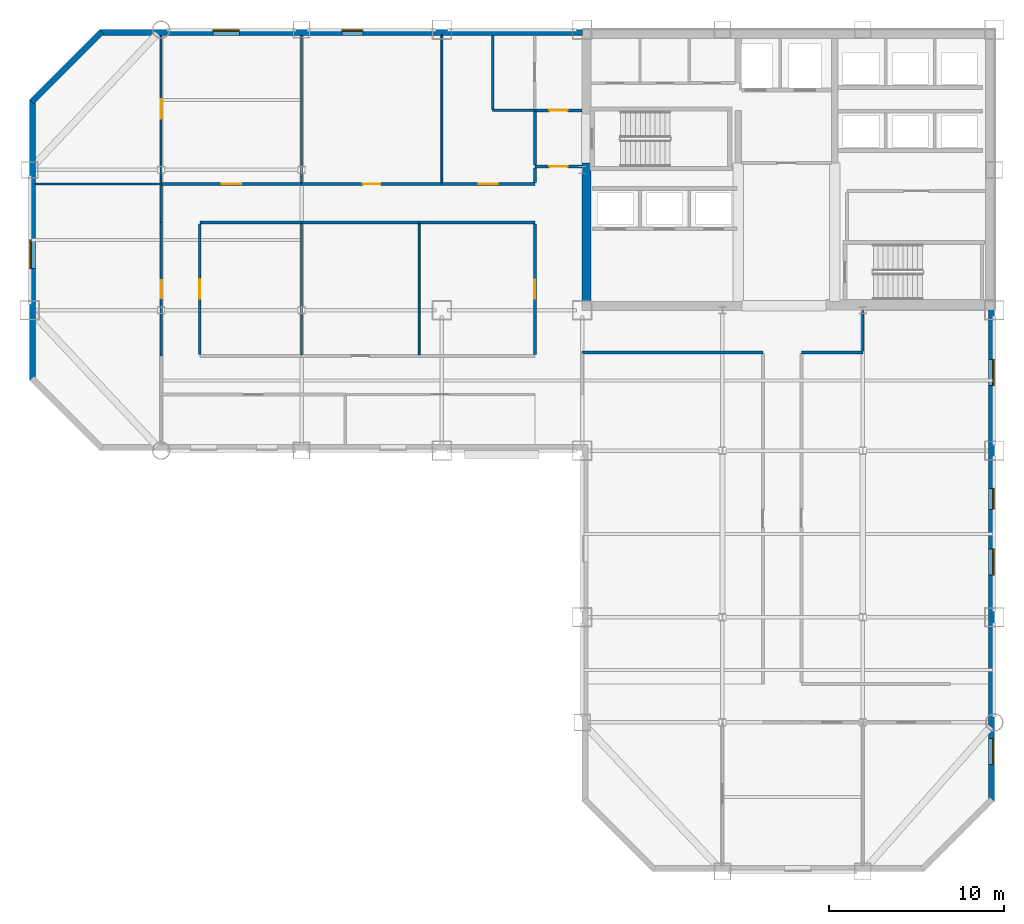
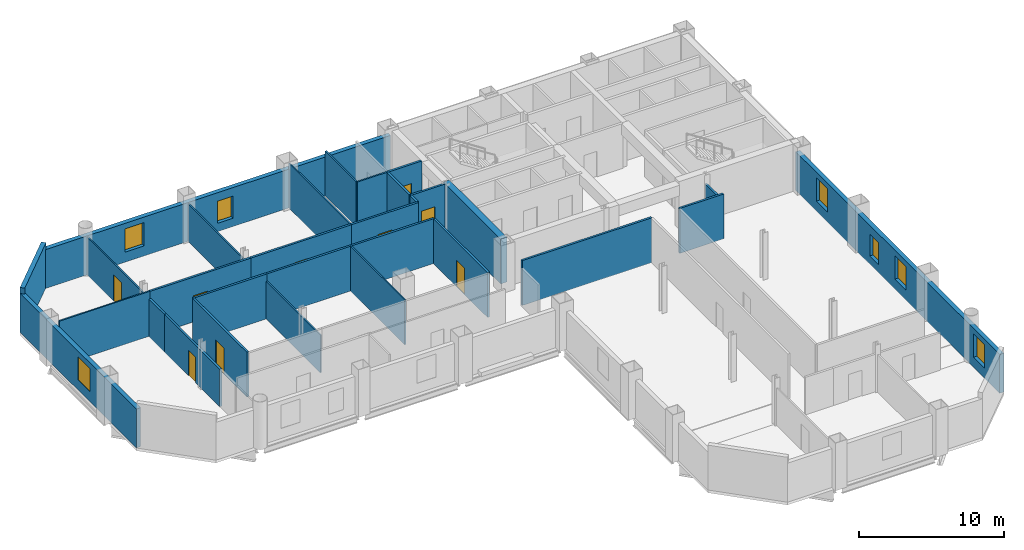
# One storey, part 6 of 10: 30 walls, 9 doors, 7 windows, 16 openings.
"""IFC4 building model written with IfcOpenShell, lengths in metres."""

import ifcopenshell
import ifcopenshell.guid

model = None  # the IFC model being written
_history = None  # IfcOwnerHistory: only IFC2X3 demands one
_inside = {}  # id of a spatial element -> (the spatial element, [elements in it])
_under = {}  # id of a project, library or spatial element -> (it, [spatial elements below it])
_declared = {}  # id of a project -> (the project, [libraries it declares])
_typed = {}  # id of a type object -> (the type object, [elements of that type])
_made_of = {}  # id of a material, layer set ... -> (it, [elements and type objects made of it])


def new_model(schema):
    """Start an empty IFC model of exactly this schema.

    Asked for "IFC4X3", IfcOpenShell would pick the latest addendum, in which some entities
    have other attributes; the version numbers below select the first issue.
    IFC2X3 requires an IfcOwnerHistory on every rooted entity: one is made here for all.
    """
    global model, _history
    if schema == "IFC4X3":
        model = ifcopenshell.file(schema_version=(4, 3, 0, 0))
    else:
        model = ifcopenshell.file(schema=schema)
    _inside.clear()
    _under.clear()
    _declared.clear()
    _typed.clear()
    _made_of.clear()
    _history = None
    if model.schema == "IFC2X3":
        org = make("IfcOrganization", Name="unknown")
        user = make(
            "IfcPersonAndOrganization",
            ThePerson=make("IfcPerson", FamilyName="unknown"),
            TheOrganization=org,
        )
        app = make(
            "IfcApplication",
            ApplicationDeveloper=org,
            Version="unknown",
            ApplicationFullName="unknown",
            ApplicationIdentifier="unknown",
        )
        _history = make(
            "IfcOwnerHistory",
            OwningUser=user,
            OwningApplication=app,
            ChangeAction="ADDED",
            CreationDate=0,
        )
    return model


def make(cls, **values):
    """One entity of the class cls with the attributes given. An attribute that is None is left unset."""
    return model.create_entity(
        cls, **{name: value for name, value in values.items() if value is not None}
    )


def rooted(cls, **values):
    """An entity with a GlobalId (a new one), such as an element, a storey or a relation."""
    return make(cls, GlobalId=ifcopenshell.guid.new(), OwnerHistory=_history, **values)


def si_unit(unit_type, name, prefix=None):
    """IfcSIUnit, for example si_unit("LENGTHUNIT", "METRE", prefix="MILLI")."""
    return make("IfcSIUnit", UnitType=unit_type, Prefix=prefix, Name=name)


def assignment(units):
    """IfcUnitAssignment: the units of a project."""
    return None if units is None else make("IfcUnitAssignment", Units=units)


def point(xyz):
    """IfcCartesianPoint."""
    return None if xyz is None else make("IfcCartesianPoint", Coordinates=xyz)


def direction(xyz):
    """IfcDirection."""
    return None if xyz is None else make("IfcDirection", DirectionRatios=xyz)


def frame(location, z_axis=None, x_axis=None):
    """IfcAxis2Placement3D, a coordinate frame: its origin and axes. An axis left out is left unset."""
    return make(
        "IfcAxis2Placement3D",
        Location=point(location),
        Axis=direction(z_axis),
        RefDirection=direction(x_axis),
    )


def frame_2d(location, x_axis=None):
    """IfcAxis2Placement2D, a coordinate frame in the plane: its origin and x axis."""
    return make(
        "IfcAxis2Placement2D", Location=point(location), RefDirection=direction(x_axis)
    )


def origin():
    """The frame at (0, 0, 0) with its axes left unset."""
    return frame((0.0, 0.0, 0.0))


def place(relative_to, where):
    """IfcLocalPlacement: puts the frame where relative to a parent placement (None: the world)."""
    return make(
        "IfcLocalPlacement", PlacementRelTo=relative_to, RelativePlacement=where
    )


def context(
    kind, dimensions, precision=None, world=None, true_north=None, identifier=None
):
    """IfcGeometricRepresentationContext, for example the 3D "Model" context."""
    return make(
        "IfcGeometricRepresentationContext",
        ContextIdentifier=identifier,
        ContextType=kind,
        CoordinateSpaceDimension=dimensions,
        Precision=precision,
        WorldCoordinateSystem=world,
        TrueNorth=true_north,
    )


def subcontext(parent, identifier, kind, view, scale=None):
    """IfcGeometricRepresentationSubContext, for example "Body" below "Model"."""
    return make(
        "IfcGeometricRepresentationSubContext",
        ContextIdentifier=identifier,
        ContextType=kind,
        ParentContext=parent,
        TargetScale=scale,
        TargetView=view,
    )


def project(units=None, contexts=None):
    """IfcProject with its units and contexts."""
    return rooted(
        "IfcProject",
        Name="project",
        RepresentationContexts=contexts,
        UnitsInContext=assignment(units),
    )


def spatial(cls, under=None, at=None, **own):
    """A site, building, storey or space (cls), placed at a placement, below another one or the project."""
    s = rooted(cls, ObjectPlacement=at, **own)
    if under is not None:
        _under.setdefault(under.id(), (under, []))[1].append(s)
    return s


def profile(cls, at=None, kind="AREA", **sizes):
    """A parametric profile (cls). Its sizes go by their IFC names, for example OverallWidth=200.0."""
    return make(cls, ProfileType=kind, Position=at, **sizes)


def rectangle(**sizes):
    """IfcRectangleProfileDef."""
    return profile("IfcRectangleProfileDef", **sizes)


def extrude(swept, where, along, depth):
    """IfcExtrudedAreaSolid: the profile swept, set in the frame where, extruded along a direction by depth."""
    return make(
        "IfcExtrudedAreaSolid",
        SweptArea=swept,
        Position=where,
        ExtrudedDirection=direction(along),
        Depth=depth,
    )


def shape(context_of_items, identifier, shape_type, items):
    """IfcShapeRepresentation: the items that make up one representation, for example the "Body"."""
    return make(
        "IfcShapeRepresentation",
        ContextOfItems=context_of_items,
        RepresentationIdentifier=identifier,
        RepresentationType=shape_type,
        Items=items,
    )


def material(Name=None, Category=None):
    """IfcMaterial."""
    return make("IfcMaterial", Name=Name, Category=Category)


def layer(
    of_material, thickness, ventilated=None, Name=None, Category=None, Priority=None
):
    """IfcMaterialLayer: one layer of a wall or slab, of a material (None: an air gap)."""
    return make(
        "IfcMaterialLayer",
        Material=of_material,
        LayerThickness=thickness,
        IsVentilated=ventilated,
        Name=Name,
        Category=Category,
        Priority=Priority,
    )


def layer_set(layers, Name=None):
    """IfcMaterialLayerSet."""
    return make("IfcMaterialLayerSet", MaterialLayers=layers, LayerSetName=Name)


def made_of(thing, what):
    """Note that an element or type object is made of a material, layer set ...; save() writes the relation."""
    if what is not None:
        _made_of.setdefault(what.id(), (what, []))[1].append(thing)
    return thing


def type_object(cls, material=None, **own):
    """A type object (cls), such as IfcWallType, which elements share."""
    return made_of(rooted(cls, **own), material)


def element(
    cls,
    number,
    at=None,
    inside=None,
    cuts=None,
    type_object=None,
    material=None,
    context=None,
    identifier="Body",
    shape_type=None,
    held_by="IfcProductDefinitionShape",
    body=None,
    shapes=None,
    **own,
):
    """One element of the class cls, such as IfcWall. Its Tag is "e" and its number.

    at: its placement. inside: the storey or other place that contains it. cuts: it is an
    opening in that element (IfcRelVoidsElement). A single representation is given by context,
    identifier, shape_type and body (its items); several are given by shapes. held_by: the class
    of the entity that holds the representations. save() writes the other relations.
    """
    e = rooted(cls, Tag="e%d" % number, ObjectPlacement=at, **own)
    if body is not None:
        shapes = [shape(context, identifier, shape_type, body)]
    if shapes is not None:
        e.Representation = make(held_by, Representations=shapes)
    if inside is not None:
        _inside.setdefault(inside.id(), (inside, []))[1].append(e)
    if cuts is not None:
        rooted(
            "IfcRelVoidsElement", RelatingBuildingElement=cuts, RelatedOpeningElement=e
        )
    if type_object is not None:
        _typed.setdefault(type_object.id(), (type_object, []))[1].append(e)
    return made_of(e, material)


def fill(opening, filler):
    """IfcRelFillsElement: the door or window that sits in an opening."""
    return rooted(
        "IfcRelFillsElement",
        RelatingOpeningElement=opening,
        RelatedBuildingElement=filler,
    )


def aggregate(whole, parts):
    """IfcRelAggregates: a whole, such as a stair, and the parts it consists of."""
    return rooted("IfcRelAggregates", RelatingObject=whole, RelatedObjects=parts)


def save(model, path):
    """Write the relations noted so far, then the file.

    IfcRelAggregates (storeys below a building ...), IfcRelContainedInSpatialStructure (elements
    in a storey), IfcRelDefinesByType, IfcRelAssociatesMaterial and IfcRelDeclares: one each for
    every whole, place, type object, material and project.
    """
    for whole, parts in _under.values():
        aggregate(whole, parts)
    for where, things in _inside.values():
        rooted(
            "IfcRelContainedInSpatialStructure",
            RelatedElements=things,
            RelatingStructure=where,
        )
    for kind, things in _typed.values():
        rooted("IfcRelDefinesByType", RelatedObjects=things, RelatingType=kind)
    for what, things in _made_of.values():
        rooted("IfcRelAssociatesMaterial", RelatedObjects=things, RelatingMaterial=what)
    for by, libraries in _declared.values():
        rooted("IfcRelDeclares", RelatingContext=by, RelatedDefinitions=libraries)
    model.write(path)


model = new_model("IFC4")

# Units and contexts
model_context = context("Model", 3, precision=1e-05, world=origin(), true_north=direction((0.0, 1.0)))
body_context = subcontext(model_context, "Body", "Model", "MODEL_VIEW")
ifc_project = project(units=[si_unit("LENGTHUNIT", "METRE"), si_unit("AREAUNIT", "SQUARE_METRE"), si_unit("VOLUMEUNIT", "CUBIC_METRE"), si_unit("PLANEANGLEUNIT", "RADIAN"), si_unit("MASSUNIT", "GRAM", prefix="KILO")], contexts=[model_context])

# Site, building, storey
site_placement = place(None, origin())
site = spatial("IfcSite", under=ifc_project, at=site_placement, CompositionType="ELEMENT")
building_placement = place(site_placement, origin())
building = spatial("IfcBuilding", under=site, at=building_placement, Name="Qianrong Seaharbour Tower", CompositionType="ELEMENT")
storey_placement = place(building_placement, frame((0.0, 0.0, 139.0)))
storey = spatial("IfcBuildingStorey", under=building, at=storey_placement, Name="L33", CompositionType="ELEMENT", Elevation=139.0)

# Wall
ifc_material_1 = material(Name="Concrete C60/75", Category="concrete")
ifc_layer_1 = layer(ifc_material_1, 0.5)
ifc_layer_set_1 = layer_set([ifc_layer_1], Name="Concrete C60/75")
wall_type_1 = type_object("IfcWallType", Name="WALL-CORE-500", PredefinedType="SHEAR", material=ifc_layer_set_1)
wall_1_placement = place(storey_placement, frame((40.75, 36.5, 0.0), z_axis=(0.0, 0.0, 1.0), x_axis=(0.0, 1.0, 0.0)))
element("IfcWall", 1, at=wall_1_placement, inside=storey, type_object=wall_type_1, Name="L33 West Core Shear Wall South", PredefinedType="SHEAR", context=body_context, shape_type="SweptSolid", body=[
    extrude(rectangle(XDim=7.89990234375, YDim=0.5, at=frame_2d((3.949951171875, 0.0))), origin(), (0.0, 0.0, 1.0), 3.764892578125),
])

# Wall, opening, door
ifc_material_2 = material(Name="Fire-rated acoustic gypsum board partition")
ifc_layer_2 = layer(ifc_material_2, 0.1650390625)
ifc_layer_set_2 = layer_set([ifc_layer_2], Name="Fire-rated acoustic gypsum board partition")
wall_type_2 = type_object("IfcWallType", Name="WALL-CORR-PART-165", PredefinedType="PARTITIONING", material=ifc_layer_set_2)
wall_2_placement = place(storey_placement, frame((37.800048828125, 47.39990234375, 0.0), z_axis=(0.0, 0.0, 1.0), x_axis=(1.0, 0.0, 0.0)))
wall_2 = element("IfcWall", 2, at=wall_2_placement, inside=storey, type_object=wall_type_2, Name="L33 Interior Partition Wall 001", PredefinedType="PARTITIONING", context=body_context, shape_type="SweptSolid", body=[
    extrude(rectangle(XDim=2.699951171875, YDim=0.1650390625, at=frame_2d((1.35009765625, 0.0))), origin(), (0.0, 0.0, 1.0), 3.764892578125),
])
opening_1_placement = place(wall_2_placement, frame((0.824951171875, 0.0, 0.0)))
opening_1 = element("IfcOpeningElement", 3, at=opening_1_placement, cuts=wall_2, Name="Opening DC-01", PredefinedType="OPENING", context=body_context, shape_type="SweptSolid", body=[
    extrude(rectangle(XDim=1.050048828125, YDim=2.14990234375, at=frame_2d((0.52490234375, 1.074951171875))), frame((0.0, 0.092529296875, 0.0), z_axis=(0.0, -1.0, 0.0), x_axis=(1.0, 0.0, 0.0)), (0.0, 0.0, 1.0), 0.18505859375),
])
ifc_material_3 = material(Name="Acoustic timber and galvanized steel fire door assembly", Category="steel")
door_type_1 = type_object("IfcDoorType", Name="DOOR-CORR-FD60-1050x2150", OperationType="NOTDEFINED", PredefinedType="DOOR", material=ifc_material_3)
door_1_placement = place(opening_1_placement, origin())
door_1 = element("IfcDoor", 4, at=door_1_placement, inside=storey, type_object=door_type_1, Name="L33 Smokeproof Stair Vestibule ST-1 Door", OperationType="SINGLE_SWING_RIGHT", OverallHeight=2.14990234375, OverallWidth=1.050048828125, PredefinedType="DOOR", context=body_context, shape_type="SweptSolid", body=[
    extrude(rectangle(XDim=1.050048828125, YDim=2.14990234375, at=frame_2d((0.52490234375, 1.074951171875))), frame((0.0, 0.02490234375, 0.0), z_axis=(0.0, -1.0, 0.0), x_axis=(1.0, 0.0, 0.0)), (0.0, 0.0, 1.0), 0.050048828125),
])
fill(opening_1, door_1)

wall_3_placement = place(storey_placement, frame((40.5, 44.199951171875, 0.0), z_axis=(0.0, 0.0, 1.0), x_axis=(-1.0, 0.0, 0.0)))
wall_3 = element("IfcWall", 5, at=wall_3_placement, inside=storey, type_object=wall_type_2, Name="L33 Interior Partition Wall 002", PredefinedType="PARTITIONING", context=body_context, shape_type="SweptSolid", body=[
    extrude(rectangle(XDim=2.699951171875, YDim=0.1650390625, at=frame_2d((1.35009765625, 0.0))), origin(), (0.0, 0.0, 1.0), 3.764892578125),
])
opening_2_placement = place(wall_3_placement, frame((0.824951171875, 0.0, 0.0)))
opening_2 = element("IfcOpeningElement", 6, at=opening_2_placement, cuts=wall_3, Name="Opening DC-01", PredefinedType="OPENING", context=body_context, shape_type="SweptSolid", body=[
    extrude(rectangle(XDim=1.050048828125, YDim=2.14990234375, at=frame_2d((0.52490234375, 1.074951171875))), frame((0.0, 0.092529296875, 0.0), z_axis=(0.0, -1.0, 0.0), x_axis=(1.0, 0.0, 0.0)), (0.0, 0.0, 1.0), 0.18505859375),
])
door_2_placement = place(opening_2_placement, origin())
door_2 = element("IfcDoor", 7, at=door_2_placement, inside=storey, type_object=door_type_1, Name="L33 Smokeproof Stair Vestibule ST-1 Door", OperationType="SINGLE_SWING_LEFT", OverallHeight=2.14990234375, OverallWidth=1.050048828125, PredefinedType="DOOR", context=body_context, shape_type="SweptSolid", body=[
    extrude(rectangle(XDim=1.050048828125, YDim=2.14990234375, at=frame_2d((0.52490234375, 1.074951171875))), frame((0.0, 0.02490234375, 0.0), z_axis=(0.0, -1.0, 0.0), x_axis=(1.0, 0.0, 0.0)), (0.0, 0.0, 1.0), 0.050048828125),
])
fill(opening_2, door_2)

# Wall
wall_4_placement = place(storey_placement, frame((37.800048828125, 44.2744140625, 0.0), z_axis=(0.0, 0.0, 1.0), x_axis=(0.0, 1.0, 0.0)))
element("IfcWall", 8, at=wall_4_placement, inside=storey, type_object=wall_type_2, Name="L33 Interior Partition Wall 003", PredefinedType="PARTITIONING", context=body_context, shape_type="SweptSolid", body=[
    extrude(rectangle(XDim=3.051025390625, YDim=0.1650390625, at=frame_2d((1.525390625, 0.0))), origin(), (0.0, 0.0, 1.0), 3.764892578125),
])

# Wall, opening, door
wall_5_placement = place(storey_placement, frame((16.5, 43.199951171875, 0.0), z_axis=(0.0, 0.0, 1.0), x_axis=(1.0, 0.0, 0.0)))
wall_5 = element("IfcWall", 9, at=wall_5_placement, inside=storey, type_object=wall_type_2, Name="L33 Interior Partition Wall 021", PredefinedType="PARTITIONING", context=body_context, shape_type="SweptSolid", body=[
    extrude(rectangle(XDim=8.0, YDim=0.1650390625, at=frame_2d((4.0, 0.0))), origin(), (0.0, 0.0, 1.0), 3.764892578125),
])
opening_3_placement = place(wall_5_placement, frame((3.449951171875, 0.0, 0.0)))
opening_3 = element("IfcOpeningElement", 10, at=opening_3_placement, cuts=wall_5, Name="Opening DM-01", PredefinedType="OPENING", context=body_context, shape_type="SweptSolid", body=[
    extrude(rectangle(XDim=1.10009765625, YDim=2.199951171875, at=frame_2d((0.550048828125, 1.10009765625))), frame((0.0, 0.092529296875, 0.0), z_axis=(0.0, -1.0, 0.0), x_axis=(1.0, 0.0, 0.0)), (0.0, 0.0, 1.0), 0.18505859375),
])
door_type_2 = type_object("IfcDoorType", Name="DOOR-MEET-1100x2200", OperationType="NOTDEFINED", PredefinedType="DOOR", material=ifc_material_3)
door_3_placement = place(opening_3_placement, origin())
door_3 = element("IfcDoor", 11, at=door_3_placement, inside=storey, type_object=door_type_2, Name="L33 Meeting Room 2 Door", OperationType="SINGLE_SWING_RIGHT", OverallHeight=2.199951171875, OverallWidth=1.10009765625, PredefinedType="DOOR", context=body_context, shape_type="SweptSolid", body=[
    extrude(rectangle(XDim=1.10009765625, YDim=2.199951171875, at=frame_2d((0.550048828125, 1.10009765625))), frame((0.0, 0.02490234375, 0.0), z_axis=(0.0, -1.0, 0.0), x_axis=(1.0, 0.0, 0.0)), (0.0, 0.0, 1.0), 0.050048828125),
])
fill(opening_3, door_3)

wall_6_placement = place(storey_placement, frame((24.5, 43.199951171875, 0.0), z_axis=(0.0, 0.0, 1.0), x_axis=(1.0, 0.0, 0.0)))
wall_6 = element("IfcWall", 12, at=wall_6_placement, inside=storey, type_object=wall_type_2, Name="L33 Interior Partition Wall 022", PredefinedType="PARTITIONING", context=body_context, shape_type="SweptSolid", body=[
    extrude(rectangle(XDim=8.0, YDim=0.1650390625, at=frame_2d((4.0, 0.0))), origin(), (0.0, 0.0, 1.0), 3.764892578125),
])
opening_4_placement = place(wall_6_placement, frame((3.5, 0.0, 0.0)))
opening_4 = element("IfcOpeningElement", 13, at=opening_4_placement, cuts=wall_6, Name="Opening DO-01", PredefinedType="OPENING", context=body_context, shape_type="SweptSolid", body=[
    extrude(rectangle(XDim=1.0, YDim=2.14990234375, at=frame_2d((0.5, 1.074951171875))), frame((0.0, 0.092529296875, 0.0), z_axis=(0.0, -1.0, 0.0), x_axis=(1.0, 0.0, 0.0)), (0.0, 0.0, 1.0), 0.18505859375),
])
door_type_3 = type_object("IfcDoorType", Name="DOOR-OFFICE-1000x2150", OperationType="NOTDEFINED", PredefinedType="DOOR", material=ifc_material_3)
door_4_placement = place(opening_4_placement, origin())
door_4 = element("IfcDoor", 14, at=door_4_placement, inside=storey, type_object=door_type_3, Name="L33 Project Library 3 Door", OperationType="SINGLE_SWING_LEFT", OverallHeight=2.14990234375, OverallWidth=1.0, PredefinedType="DOOR", context=body_context, shape_type="SweptSolid", body=[
    extrude(rectangle(XDim=1.0, YDim=2.14990234375, at=frame_2d((0.5, 1.074951171875))), frame((0.0, 0.02490234375, 0.0), z_axis=(0.0, -1.0, 0.0), x_axis=(1.0, 0.0, 0.0)), (0.0, 0.0, 1.0), 0.050048828125),
])
fill(opening_4, door_4)

wall_7_placement = place(storey_placement, frame((32.5, 43.199951171875, 0.0), z_axis=(0.0, 0.0, 1.0), x_axis=(1.0, 0.0, 0.0)))
wall_7 = element("IfcWall", 15, at=wall_7_placement, inside=storey, type_object=wall_type_2, Name="L33 Interior Partition Wall 023", PredefinedType="PARTITIONING", context=body_context, shape_type="SweptSolid", body=[
    extrude(rectangle(XDim=5.300048828125, YDim=0.1650390625, at=frame_2d((2.64990234375, 0.0))), origin(), (0.0, 0.0, 1.0), 3.764892578125),
])
opening_5_placement = place(wall_7_placement, frame((2.10009765625, 0.0, 0.0)))
opening_5 = element("IfcOpeningElement", 16, at=opening_5_placement, cuts=wall_7, Name="Opening DM-01", PredefinedType="OPENING", context=body_context, shape_type="SweptSolid", body=[
    extrude(rectangle(XDim=1.10009765625, YDim=2.199951171875, at=frame_2d((0.550048828125, 1.10009765625))), frame((0.0, 0.092529296875, 0.0), z_axis=(0.0, -1.0, 0.0), x_axis=(1.0, 0.0, 0.0)), (0.0, 0.0, 1.0), 0.18505859375),
])
door_5_placement = place(opening_5_placement, origin())
door_5 = element("IfcDoor", 17, at=door_5_placement, inside=storey, type_object=door_type_2, Name="L33 Training Seminar Room 4 Door", OperationType="SINGLE_SWING_RIGHT", OverallHeight=2.199951171875, OverallWidth=1.10009765625, PredefinedType="DOOR", context=body_context, shape_type="SweptSolid", body=[
    extrude(rectangle(XDim=1.10009765625, YDim=2.199951171875, at=frame_2d((0.550048828125, 1.10009765625))), frame((0.0, 0.02490234375, 0.0), z_axis=(0.0, -1.0, 0.0), x_axis=(1.0, 0.0, 0.0)), (0.0, 0.0, 1.0), 0.050048828125),
])
fill(opening_5, door_5)

# Walls
wall_8_placement = place(storey_placement, frame((24.5, 41.0, 0.0), z_axis=(0.0, 0.0, 1.0), x_axis=(-1.0, 0.0, 0.0)))
element("IfcWall", 18, at=wall_8_placement, inside=storey, type_object=wall_type_2, Name="L33 Interior Partition Wall 024", PredefinedType="PARTITIONING", context=body_context, shape_type="SweptSolid", body=[
    extrude(rectangle(XDim=5.800048828125, YDim=0.1650390625, at=frame_2d((2.89990234375, 0.0))), origin(), (0.0, 0.0, 1.0), 3.764892578125),
])
wall_9_placement = place(storey_placement, frame((31.199951171875, 41.0, 0.0), z_axis=(0.0, 0.0, 1.0), x_axis=(-1.0, 0.0, 0.0)))
element("IfcWall", 19, at=wall_9_placement, inside=storey, type_object=wall_type_2, Name="L33 Interior Partition Wall 025", PredefinedType="PARTITIONING", context=body_context, shape_type="SweptSolid", body=[
    extrude(rectangle(XDim=6.699951171875, YDim=0.1650390625, at=frame_2d((3.35009765625, 0.0))), origin(), (0.0, 0.0, 1.0), 3.764892578125),
])
wall_10_placement = place(storey_placement, frame((37.800048828125, 41.0, 0.0), z_axis=(0.0, 0.0, 1.0), x_axis=(-1.0, 0.0, 0.0)))
element("IfcWall", 20, at=wall_10_placement, inside=storey, type_object=wall_type_2, Name="L33 Interior Partition Wall 026", PredefinedType="PARTITIONING", context=body_context, shape_type="SweptSolid", body=[
    extrude(rectangle(XDim=6.60009765625, YDim=0.1650390625, at=frame_2d((3.300048828125, 0.0))), origin(), (0.0, 0.0, 1.0), 3.764892578125),
])
wall_11_placement = place(storey_placement, frame((16.5, 41.0, 0.0), z_axis=(0.0, 0.0, 1.0), x_axis=(0.0, 1.0, 0.0)))
element("IfcWall", 21, at=wall_11_placement, inside=storey, type_object=wall_type_2, Name="L33 Interior Partition Wall 027", PredefinedType="PARTITIONING", context=body_context, shape_type="SweptSolid", body=[
    extrude(rectangle(XDim=2.12548828125, YDim=0.1650390625, at=frame_2d((1.062744140625, 0.0))), origin(), (0.0, 0.0, 1.0), 3.156982421875),
])

# Wall, opening, door
wall_12_placement = place(storey_placement, frame((18.699951171875, 40.925537109375, 0.0), z_axis=(0.0, 0.0, 1.0), x_axis=(0.0, -1.0, 0.0)))
wall_12 = element("IfcWall", 22, at=wall_12_placement, inside=storey, type_object=wall_type_2, Name="L33 Interior Partition Wall 028", PredefinedType="PARTITIONING", context=body_context, shape_type="SweptSolid", body=[
    extrude(rectangle(XDim=7.450927734375, YDim=0.1650390625, at=frame_2d((3.7255859375, 0.0))), origin(), (0.0, 0.0, 1.0), 3.764892578125),
])
opening_6_placement = place(wall_12_placement, frame((3.175537109375, 0.0, 0.0)))
opening_6 = element("IfcOpeningElement", 23, at=opening_6_placement, cuts=wall_12, Name="Opening DM-01", PredefinedType="OPENING", context=body_context, shape_type="SweptSolid", body=[
    extrude(rectangle(XDim=1.10009765625, YDim=2.199951171875, at=frame_2d((0.550048828125, 1.10009765625))), frame((0.0, 0.092529296875, 0.0), z_axis=(0.0, -1.0, 0.0), x_axis=(1.0, 0.0, 0.0)), (0.0, 0.0, 1.0), 0.18505859375),
])
door_6_placement = place(opening_6_placement, origin())
door_6 = element("IfcDoor", 24, at=door_6_placement, inside=storey, type_object=door_type_2, Name="L33 Conference Room 1 Door", OperationType="SINGLE_SWING_LEFT", OverallHeight=2.199951171875, OverallWidth=1.10009765625, PredefinedType="DOOR", context=body_context, shape_type="SweptSolid", body=[
    extrude(rectangle(XDim=1.10009765625, YDim=2.199951171875, at=frame_2d((0.550048828125, 1.10009765625))), frame((0.0, 0.02490234375, 0.0), z_axis=(0.0, -1.0, 0.0), x_axis=(1.0, 0.0, 0.0)), (0.0, 0.0, 1.0), 0.050048828125),
])
fill(opening_6, door_6)

wall_13_placement = place(storey_placement, frame((16.5, 33.39990234375, 0.0), z_axis=(0.0, 0.0, 1.0), x_axis=(0.0, 1.0, 0.0)))
wall_13 = element("IfcWall", 25, at=wall_13_placement, inside=storey, type_object=wall_type_2, Name="L33 Interior Partition Wall 029", PredefinedType="PARTITIONING", context=body_context, shape_type="SweptSolid", body=[
    extrude(rectangle(XDim=7.60009765625, YDim=0.1650390625, at=frame_2d((3.800048828125, 0.0))), origin(), (0.0, 0.0, 1.0), 3.156982421875),
])
opening_7_placement = place(wall_13_placement, frame((3.300048828125, 0.0, 0.0)))
opening_7 = element("IfcOpeningElement", 26, at=opening_7_placement, cuts=wall_13, Name="Opening DO-01", PredefinedType="OPENING", context=body_context, shape_type="SweptSolid", body=[
    extrude(rectangle(XDim=1.0, YDim=2.14990234375, at=frame_2d((0.5, 1.074951171875))), frame((0.0, 0.092529296875, 0.0), z_axis=(0.0, -1.0, 0.0), x_axis=(1.0, 0.0, 0.0)), (0.0, 0.0, 1.0), 0.18505859375),
])
door_7_placement = place(opening_7_placement, origin())
door_7 = element("IfcDoor", 27, at=door_7_placement, inside=storey, type_object=door_type_3, Name="L33 West Harbour Lecture Hall Door", OperationType="SINGLE_SWING_RIGHT", OverallHeight=2.14990234375, OverallWidth=1.0, PredefinedType="DOOR", context=body_context, shape_type="SweptSolid", body=[
    extrude(rectangle(XDim=1.0, YDim=2.14990234375, at=frame_2d((0.5, 1.074951171875))), frame((0.0, 0.02490234375, 0.0), z_axis=(0.0, -1.0, 0.0), x_axis=(1.0, 0.0, 0.0)), (0.0, 0.0, 1.0), 0.050048828125),
])
fill(opening_7, door_7)

# Wall
wall_14_placement = place(storey_placement, frame((37.800048828125, 43.2744140625, 0.0), z_axis=(0.0, 0.0, 1.0), x_axis=(0.0, 1.0, 0.0)))
element("IfcWall", 28, at=wall_14_placement, inside=storey, type_object=wall_type_2, Name="L33 Interior Partition Wall 031", PredefinedType="PARTITIONING", context=body_context, shape_type="SweptSolid", body=[
    extrude(rectangle(XDim=0.85107421875, YDim=0.1650390625, at=frame_2d((0.425537109375, 0.0))), origin(), (0.0, 0.0, 1.0), 3.764892578125),
])

# Wall, opening, door
wall_15_placement = place(storey_placement, frame((37.800048828125, 33.474609375, 0.0), z_axis=(0.0, 0.0, 1.0), x_axis=(0.0, 1.0, 0.0)))
wall_15 = element("IfcWall", 29, at=wall_15_placement, inside=storey, type_object=wall_type_2, Name="L33 Interior Partition Wall 032", PredefinedType="PARTITIONING", context=body_context, shape_type="SweptSolid", body=[
    extrude(rectangle(XDim=7.450927734375, YDim=0.1650390625, at=frame_2d((3.7255859375, 0.0))), origin(), (0.0, 0.0, 1.0), 3.764892578125),
])
opening_8_placement = place(wall_15_placement, frame((3.175537109375, 0.0, 0.0)))
opening_8 = element("IfcOpeningElement", 30, at=opening_8_placement, cuts=wall_15, Name="Opening DM-01", PredefinedType="OPENING", context=body_context, shape_type="SweptSolid", body=[
    extrude(rectangle(XDim=1.10009765625, YDim=2.199951171875, at=frame_2d((0.550048828125, 1.10009765625))), frame((0.0, 0.092529296875, 0.0), z_axis=(0.0, -1.0, 0.0), x_axis=(1.0, 0.0, 0.0)), (0.0, 0.0, 1.0), 0.18505859375),
])
door_8_placement = place(opening_8_placement, origin())
door_8 = element("IfcDoor", 31, at=door_8_placement, inside=storey, type_object=door_type_2, Name="L33 Briefing Room 3 Door", OperationType="SINGLE_SWING_LEFT", OverallHeight=2.199951171875, OverallWidth=1.10009765625, PredefinedType="DOOR", context=body_context, shape_type="SweptSolid", body=[
    extrude(rectangle(XDim=1.10009765625, YDim=2.199951171875, at=frame_2d((0.550048828125, 1.10009765625))), frame((0.0, 0.02490234375, 0.0), z_axis=(0.0, -1.0, 0.0), x_axis=(1.0, 0.0, 0.0)), (0.0, 0.0, 1.0), 0.050048828125),
])
fill(opening_8, door_8)

# Walls
wall_16_placement = place(storey_placement, frame((56.5, 36.0, 0.0), z_axis=(0.0, 0.0, 1.0), x_axis=(0.0, -1.0, 0.0)))
element("IfcWall", 32, at=wall_16_placement, inside=storey, type_object=wall_type_2, Name="L33 Interior Partition Wall 033", PredefinedType="PARTITIONING", context=body_context, shape_type="SweptSolid", body=[
    extrude(rectangle(XDim=2.325439453125, YDim=0.1650390625, at=frame_2d((1.16259765625, 0.0))), origin(), (0.0, 0.0, 1.0), 3.156982421875),
])
wall_17_placement = place(storey_placement, frame((56.5, 33.60009765625, 0.0), z_axis=(0.0, 0.0, 1.0), x_axis=(-1.0, 0.0, 0.0)))
element("IfcWall", 33, at=wall_17_placement, inside=storey, type_object=wall_type_2, Name="L33 Interior Partition Wall 034", PredefinedType="PARTITIONING", context=body_context, shape_type="SweptSolid", body=[
    extrude(rectangle(XDim=3.5, YDim=0.1650390625, at=frame_2d((1.75, 0.0))), origin(), (0.0, 0.0, 1.0), 3.764892578125),
])
wall_18_placement = place(storey_placement, frame((50.800048828125, 33.60009765625, 0.0), z_axis=(0.0, 0.0, 1.0), x_axis=(-1.0, 0.0, 0.0)))
element("IfcWall", 34, at=wall_18_placement, inside=storey, type_object=wall_type_2, Name="L33 Interior Partition Wall 035", PredefinedType="PARTITIONING", context=body_context, shape_type="SweptSolid", body=[
    extrude(rectangle(XDim=10.300048828125, YDim=0.1650390625, at=frame_2d((5.14990234375, 0.0))), origin(), (0.0, 0.0, 1.0), 3.764892578125),
])

# Wall, opening, door
ifc_material_4 = material(Name="Demountable aluminium-framed acoustic office partition", Category="aluminium")
ifc_layer_3 = layer(ifc_material_4, 0.110107421875)
ifc_layer_set_3 = layer_set([ifc_layer_3], Name="Demountable aluminium-framed acoustic office partition")
wall_type_3 = type_object("IfcWallType", Name="WALL-DEMOUNT-110", PredefinedType="MOVABLE", material=ifc_layer_set_3)
wall_19_placement = place(storey_placement, frame((16.5, 51.66796875, 0.0), z_axis=(0.0, 0.0, 1.0), x_axis=(0.0, -1.0, 0.0)))
wall_19 = element("IfcWall", 35, at=wall_19_placement, inside=storey, type_object=wall_type_3, Name="L33 Interior Partition Wall 042", PredefinedType="MOVABLE", context=body_context, shape_type="SweptSolid", body=[
    extrude(rectangle(XDim=8.3935546875, YDim=0.110107421875, at=frame_2d((4.19677734375, 0.0))), origin(), (0.0, 0.0, 1.0), 3.156982421875),
])
opening_9_placement = place(wall_19_placement, frame((3.646728515625, 0.0, 0.0)))
opening_9 = element("IfcOpeningElement", 36, at=opening_9_placement, cuts=wall_19, Name="Opening DM-01", PredefinedType="OPENING", context=body_context, shape_type="SweptSolid", body=[
    extrude(rectangle(XDim=1.10009765625, YDim=2.199951171875, at=frame_2d((0.550048828125, 1.10009765625))), frame((0.0, 0.06494140625, 0.0), z_axis=(0.0, -1.0, 0.0), x_axis=(1.0, 0.0, 0.0)), (0.0, 0.0, 1.0), 0.130126953125),
])
door_9_placement = place(opening_9_placement, origin())
door_9 = element("IfcDoor", 37, at=door_9_placement, inside=storey, type_object=door_type_2, Name="L33 Boardroom 1 Door", OperationType="SINGLE_SWING_LEFT", OverallHeight=2.199951171875, OverallWidth=1.10009765625, PredefinedType="DOOR", context=body_context, shape_type="SweptSolid", body=[
    extrude(rectangle(XDim=1.10009765625, YDim=2.199951171875, at=frame_2d((0.550048828125, 1.10009765625))), frame((0.0, 0.02490234375, 0.0), z_axis=(0.0, -1.0, 0.0), x_axis=(1.0, 0.0, 0.0)), (0.0, 0.0, 1.0), 0.050048828125),
])
fill(opening_9, door_9)

# Walls
wall_20_placement = place(storey_placement, frame((16.5, 43.199951171875, 0.0), z_axis=(0.0, 0.0, 1.0), x_axis=(-1.0, 0.0, 0.0)))
element("IfcWall", 38, at=wall_20_placement, inside=storey, type_object=wall_type_3, Name="L33 Interior Partition Wall 043", PredefinedType="MOVABLE", context=body_context, shape_type="SweptSolid", body=[
    extrude(rectangle(XDim=7.16796875, YDim=0.110107421875, at=frame_2d((3.583984375, 0.0))), origin(), (0.0, 0.0, 1.0), 3.764892578125),
])
wall_21_placement = place(storey_placement, frame((24.5, 51.66796875, 0.0), z_axis=(0.0, 0.0, 1.0), x_axis=(0.0, -1.0, 0.0)))
element("IfcWall", 39, at=wall_21_placement, inside=storey, type_object=wall_type_3, Name="L33 Interior Partition Wall 044", PredefinedType="MOVABLE", context=body_context, shape_type="SweptSolid", body=[
    extrude(rectangle(XDim=8.3935546875, YDim=0.110107421875, at=frame_2d((4.19677734375, 0.0))), origin(), (0.0, 0.0, 1.0), 3.156982421875),
])
wall_22_placement = place(storey_placement, frame((32.5, 51.66796875, 0.0), z_axis=(0.0, 0.0, 1.0), x_axis=(0.0, -1.0, 0.0)))
element("IfcWall", 40, at=wall_22_placement, inside=storey, type_object=wall_type_3, Name="L33 Interior Partition Wall 045", PredefinedType="MOVABLE", context=body_context, shape_type="SweptSolid", body=[
    extrude(rectangle(XDim=8.3935546875, YDim=0.110107421875, at=frame_2d((4.19677734375, 0.0))), origin(), (0.0, 0.0, 1.0), 3.764892578125),
])
wall_23_placement = place(storey_placement, frame((24.5, 40.925537109375, 0.0), z_axis=(0.0, 0.0, 1.0), x_axis=(0.0, -1.0, 0.0)))
element("IfcWall", 41, at=wall_23_placement, inside=storey, type_object=wall_type_3, Name="L33 Interior Partition Wall 046", PredefinedType="MOVABLE", context=body_context, shape_type="SweptSolid", body=[
    extrude(rectangle(XDim=7.450927734375, YDim=0.110107421875, at=frame_2d((3.7255859375, 0.0))), origin(), (0.0, 0.0, 1.0), 3.156982421875),
])
wall_24_placement = place(storey_placement, frame((31.199951171875, 40.925537109375, 0.0), z_axis=(0.0, 0.0, 1.0), x_axis=(0.0, -1.0, 0.0)))
element("IfcWall", 42, at=wall_24_placement, inside=storey, type_object=wall_type_3, Name="L33 Interior Partition Wall 047", PredefinedType="MOVABLE", context=body_context, shape_type="SweptSolid", body=[
    extrude(rectangle(XDim=7.450927734375, YDim=0.110107421875, at=frame_2d((3.7255859375, 0.0))), origin(), (0.0, 0.0, 1.0), 3.764892578125),
])

# Wall, opening, window
ifc_material_5 = material(Name="Unitised buff brick on Precast concrete C45/55", Category="masonry")
ifc_layer_4 = layer(ifc_material_5, 0.340087890625)
ifc_layer_set_4 = layer_set([ifc_layer_4], Name="Unitised buff brick on Precast concrete C45/55")
wall_type_4 = type_object("IfcWallType", Name="WALL-EXT-BRICK-BUFF-340", PredefinedType="SOLIDWALL", material=ifc_layer_set_4)
wall_25_placement = place(storey_placement, frame((9.169921875, 32.0, 0.0), z_axis=(0.0, 0.0, 1.0), x_axis=(0.0, 1.0, 0.0)))
wall_25 = element("IfcWall", 43, at=wall_25_placement, inside=storey, type_object=wall_type_4, Name="L33 Exterior Masonry Facade Wall WEST_TIP", PredefinedType="SOLIDWALL", context=body_context, shape_type="SweptSolid", body=[
    extrude(rectangle(XDim=16.0, YDim=0.340087890625, at=frame_2d((8.0, 0.0))), origin(), (0.0, 0.0, 1.0), 3.264892578125),
])
opening_10_placement = place(wall_25_placement, frame((6.375, 0.0, 0.85009765625)))
opening_10 = element("IfcOpeningElement", 44, at=opening_10_placement, cuts=wall_25, Name="Opening WN-04", PredefinedType="OPENING", context=body_context, shape_type="SweptSolid", body=[
    extrude(rectangle(XDim=1.64990234375, YDim=1.949951171875, at=frame_2d((0.824951171875, 0.97509765625))), frame((0.0, 0.18017578125, 0.0), z_axis=(0.0, -1.0, 0.0), x_axis=(1.0, 0.0, 0.0)), (0.0, 0.0, 1.0), 0.360107421875),
])
ifc_material_6 = material(Name="Insulated low-e double glazing in thermally broken aluminium 6063-T6 frame", Category="aluminium")
window_type_1 = type_object("IfcWindowType", Name="WIN-PUNCH-1650x1950", PartitioningType="DOUBLE_PANEL_VERTICAL", PredefinedType="WINDOW", material=ifc_material_6)
window_1_placement = place(opening_10_placement, origin())
window_1 = element("IfcWindow", 45, at=window_1_placement, inside=storey, type_object=window_type_1, Name="L33 Deep-Set Punched Window 03.02", OverallHeight=1.949951171875, OverallWidth=1.64990234375, PartitioningType="DOUBLE_PANEL_VERTICAL", PredefinedType="WINDOW", context=body_context, shape_type="SweptSolid", body=[
    extrude(rectangle(XDim=1.64990234375, YDim=1.949951171875, at=frame_2d((0.824951171875, 0.97509765625))), frame((0.0, 0.150146484375, 0.0), z_axis=(0.0, -1.0, 0.0), x_axis=(1.0, 0.0, 0.0)), (0.0, 0.0, 1.0), 0.06005859375),
])
fill(opening_10, window_1)

# Wall
wall_26_placement = place(storey_placement, frame((9.1201171875, 47.8798828125, 0.0), z_axis=(0.0, 0.0, 1.0), x_axis=(0.707106781187, 0.707106781187, 0.0)))
element("IfcWall", 46, at=wall_26_placement, inside=storey, type_object=wall_type_4, Name="L33 Exterior Masonry Facade Wall E04", PredefinedType="SOLIDWALL", context=body_context, shape_type="SweptSolid", body=[
    extrude(rectangle(XDim=5.65673828125, YDim=0.340087890625, at=frame_2d((2.828369140625, 0.0))), origin(), (0.0, 0.0, 1.0), 3.764892578125),
])

# Wall, openings, windows
wall_27_placement = place(storey_placement, frame((13.0, 51.830078125, 0.0), z_axis=(0.0, 0.0, 1.0), x_axis=(1.0, 0.0, 0.0)))
wall_27 = element("IfcWall", 47, at=wall_27_placement, inside=storey, type_object=wall_type_4, Name="L33 Exterior Masonry Facade Wall NORTH_WING", PredefinedType="SOLIDWALL", context=body_context, shape_type="SweptSolid", body=[
    extrude(rectangle(XDim=27.52001953125, YDim=0.340087890625, at=frame_2d((13.760009765625, 0.0))), origin(), (0.0, 0.0, 1.0), 3.264892578125),
])
opening_11_placement = place(wall_27_placement, frame((6.449951171875, 0.0, 0.85009765625)))
opening_11 = element("IfcOpeningElement", 48, at=opening_11_placement, cuts=wall_27, Name="Opening WN-03", PredefinedType="OPENING", context=body_context, shape_type="SweptSolid", body=[
    extrude(rectangle(XDim=1.5, YDim=1.949951171875, at=frame_2d((0.75, 0.97509765625))), frame((0.0, 0.18017578125, 0.0), z_axis=(0.0, -1.0, 0.0), x_axis=(1.0, 0.0, 0.0)), (0.0, 0.0, 1.0), 0.360107421875),
])
opening_12_placement = place(wall_27_placement, frame((13.800048828125, 0.0, 0.699951171875)))
opening_12 = element("IfcOpeningElement", 49, at=opening_12_placement, cuts=wall_27, Name="Opening WN-01", PredefinedType="OPENING", context=body_context, shape_type="SweptSolid", body=[
    extrude(rectangle(XDim=1.199951171875, YDim=1.85009765625, at=frame_2d((0.60009765625, 0.925048828125))), frame((0.0, 0.18017578125, 0.0), z_axis=(0.0, -1.0, 0.0), x_axis=(1.0, 0.0, 0.0)), (0.0, 0.0, 1.0), 0.360107421875),
])
window_type_2 = type_object("IfcWindowType", Name="WIN-PUNCH-1200x1850", PartitioningType="DOUBLE_PANEL_VERTICAL", PredefinedType="WINDOW", material=ifc_material_6)
window_2_placement = place(opening_12_placement, origin())
window_2 = element("IfcWindow", 50, at=window_2_placement, inside=storey, type_object=window_type_2, Name="L33 Deep-Set Punched Window 05.04", OverallHeight=1.85009765625, OverallWidth=1.199951171875, PartitioningType="DOUBLE_PANEL_VERTICAL", PredefinedType="WINDOW", context=body_context, shape_type="SweptSolid", body=[
    extrude(rectangle(XDim=1.199951171875, YDim=1.85009765625, at=frame_2d((0.60009765625, 0.925048828125))), frame((0.0, 0.150146484375, 0.0), z_axis=(0.0, -1.0, 0.0), x_axis=(1.0, 0.0, 0.0)), (0.0, 0.0, 1.0), 0.06005859375),
])
fill(opening_12, window_2)
window_type_3 = type_object("IfcWindowType", Name="WIN-PUNCH-1500x1950", PartitioningType="DOUBLE_PANEL_VERTICAL", PredefinedType="WINDOW", material=ifc_material_6)
window_3_placement = place(opening_11_placement, origin())
window_3 = element("IfcWindow", 51, at=window_3_placement, inside=storey, type_object=window_type_3, Name="L33 Deep-Set Punched Window 05.02", OverallHeight=1.949951171875, OverallWidth=1.5, PartitioningType="DOUBLE_PANEL_VERTICAL", PredefinedType="WINDOW", context=body_context, shape_type="SweptSolid", body=[
    extrude(rectangle(XDim=1.5, YDim=1.949951171875, at=frame_2d((0.75, 0.97509765625))), frame((0.0, 0.150146484375, 0.0), z_axis=(0.0, -1.0, 0.0), x_axis=(1.0, 0.0, 0.0)), (0.0, 0.0, 1.0), 0.06005859375),
])
fill(opening_11, window_3)

wall_28_placement = place(storey_placement, frame((63.830078125, 36.050048828125, 0.0), z_axis=(0.0, 0.0, 1.0), x_axis=(0.0, -1.0, 0.0)))
wall_28 = element("IfcWall", 52, at=wall_28_placement, inside=storey, type_object=wall_type_4, Name="L33 Exterior Masonry Facade Wall EAST_WING", PredefinedType="SOLIDWALL", context=body_context, shape_type="SweptSolid", body=[
    extrude(rectangle(XDim=28.050048828125, YDim=0.340087890625, at=frame_2d((14.02490234375, 0.0))), origin(), (0.0, 0.0, 1.0), 3.264892578125),
])
opening_13_placement = place(wall_28_placement, frame((2.85009765625, 0.0, 0.85009765625)))
opening_13 = element("IfcOpeningElement", 53, at=opening_13_placement, cuts=wall_28, Name="Opening WN-03", PredefinedType="OPENING", context=body_context, shape_type="SweptSolid", body=[
    extrude(rectangle(XDim=1.5, YDim=1.949951171875, at=frame_2d((0.75, 0.97509765625))), frame((0.0, 0.18017578125, 0.0), z_axis=(0.0, -1.0, 0.0), x_axis=(1.0, 0.0, 0.0)), (0.0, 0.0, 1.0), 0.360107421875),
])
opening_14_placement = place(wall_28_placement, frame((10.199951171875, 0.0, 0.699951171875)))
opening_14 = element("IfcOpeningElement", 54, at=opening_14_placement, cuts=wall_28, Name="Opening WN-01", PredefinedType="OPENING", context=body_context, shape_type="SweptSolid", body=[
    extrude(rectangle(XDim=1.199951171875, YDim=1.85009765625, at=frame_2d((0.60009765625, 0.925048828125))), frame((0.0, 0.18017578125, 0.0), z_axis=(0.0, -1.0, 0.0), x_axis=(1.0, 0.0, 0.0)), (0.0, 0.0, 1.0), 0.360107421875),
])
opening_15_placement = place(wall_28_placement, frame((13.64990234375, 0.0, 0.85009765625)))
opening_15 = element("IfcOpeningElement", 55, at=opening_15_placement, cuts=wall_28, Name="Opening WN-03", PredefinedType="OPENING", context=body_context, shape_type="SweptSolid", body=[
    extrude(rectangle(XDim=1.5, YDim=1.949951171875, at=frame_2d((0.75, 0.97509765625))), frame((0.0, 0.18017578125, 0.0), z_axis=(0.0, -1.0, 0.0), x_axis=(1.0, 0.0, 0.0)), (0.0, 0.0, 1.0), 0.360107421875),
])
opening_16_placement = place(wall_28_placement, frame((24.449951171875, 0.0, 0.85009765625)))
opening_16 = element("IfcOpeningElement", 56, at=opening_16_placement, cuts=wall_28, Name="Opening WN-03", PredefinedType="OPENING", context=body_context, shape_type="SweptSolid", body=[
    extrude(rectangle(XDim=1.5, YDim=1.949951171875, at=frame_2d((0.75, 0.97509765625))), frame((0.0, 0.18017578125, 0.0), z_axis=(0.0, -1.0, 0.0), x_axis=(1.0, 0.0, 0.0)), (0.0, 0.0, 1.0), 0.360107421875),
])
window_4_placement = place(opening_14_placement, origin())
window_4 = element("IfcWindow", 57, at=window_4_placement, inside=storey, type_object=window_type_2, Name="L33 Deep-Set Punched Window 06.03", OverallHeight=1.85009765625, OverallWidth=1.199951171875, PartitioningType="DOUBLE_PANEL_VERTICAL", PredefinedType="WINDOW", context=body_context, shape_type="SweptSolid", body=[
    extrude(rectangle(XDim=1.199951171875, YDim=1.85009765625, at=frame_2d((0.60009765625, 0.925048828125))), frame((0.0, 0.150146484375, 0.0), z_axis=(0.0, -1.0, 0.0), x_axis=(1.0, 0.0, 0.0)), (0.0, 0.0, 1.0), 0.06005859375),
])
fill(opening_14, window_4)
window_5_placement = place(opening_13_placement, origin())
window_5 = element("IfcWindow", 58, at=window_5_placement, inside=storey, type_object=window_type_3, Name="L33 Deep-Set Punched Window 06.01", OverallHeight=1.949951171875, OverallWidth=1.5, PartitioningType="DOUBLE_PANEL_VERTICAL", PredefinedType="WINDOW", context=body_context, shape_type="SweptSolid", body=[
    extrude(rectangle(XDim=1.5, YDim=1.949951171875, at=frame_2d((0.75, 0.97509765625))), frame((0.0, 0.150146484375, 0.0), z_axis=(0.0, -1.0, 0.0), x_axis=(1.0, 0.0, 0.0)), (0.0, 0.0, 1.0), 0.06005859375),
])
fill(opening_13, window_5)
window_6_placement = place(opening_15_placement, origin())
window_6 = element("IfcWindow", 59, at=window_6_placement, inside=storey, type_object=window_type_3, Name="L33 Deep-Set Punched Window 06.04", OverallHeight=1.949951171875, OverallWidth=1.5, PartitioningType="DOUBLE_PANEL_VERTICAL", PredefinedType="WINDOW", context=body_context, shape_type="SweptSolid", body=[
    extrude(rectangle(XDim=1.5, YDim=1.949951171875, at=frame_2d((0.75, 0.97509765625))), frame((0.0, 0.150146484375, 0.0), z_axis=(0.0, -1.0, 0.0), x_axis=(1.0, 0.0, 0.0)), (0.0, 0.0, 1.0), 0.06005859375),
])
fill(opening_15, window_6)
window_7_placement = place(opening_16_placement, origin())
window_7 = element("IfcWindow", 60, at=window_7_placement, inside=storey, type_object=window_type_3, Name="L33 Deep-Set Punched Window 06.07", OverallHeight=1.949951171875, OverallWidth=1.5, PartitioningType="DOUBLE_PANEL_VERTICAL", PredefinedType="WINDOW", context=body_context, shape_type="SweptSolid", body=[
    extrude(rectangle(XDim=1.5, YDim=1.949951171875, at=frame_2d((0.75, 0.97509765625))), frame((0.0, 0.150146484375, 0.0), z_axis=(0.0, -1.0, 0.0), x_axis=(1.0, 0.0, 0.0)), (0.0, 0.0, 1.0), 0.06005859375),
])
fill(opening_16, window_7)

# Walls
ifc_material_7 = material(Name="Water-resistant cement board sanitary partition")
ifc_layer_5 = layer(ifc_material_7, 0.1298828125)
ifc_layer_set_5 = layer_set([ifc_layer_5], Name="Water-resistant cement board sanitary partition")
wall_type_5 = type_object("IfcWallType", Name="WALL-WET-PART-130", PredefinedType="PARTITIONING", material=ifc_layer_set_5)
wall_29_placement = place(storey_placement, frame((37.800048828125, 47.39990234375, 0.0), z_axis=(0.0, 0.0, 1.0), x_axis=(-1.0, 0.0, 0.0)))
element("IfcWall", 61, at=wall_29_placement, inside=storey, type_object=wall_type_5, Name="L33 Interior Partition Wall 005", PredefinedType="PARTITIONING", context=body_context, shape_type="SweptSolid", body=[
    extrude(rectangle(XDim=2.400146484375, YDim=0.1298828125, at=frame_2d((1.2001953125, 0.0))), origin(), (0.0, 0.0, 1.0), 3.764892578125),
])
wall_30_placement = place(storey_placement, frame((35.39990234375, 47.45703125, 0.0), z_axis=(0.0, 0.0, 1.0), x_axis=(0.0, 1.0, 0.0)))
element("IfcWall", 62, at=wall_30_placement, inside=storey, type_object=wall_type_5, Name="L33 Interior Partition Wall 006", PredefinedType="PARTITIONING", context=body_context, shape_type="SweptSolid", body=[
    extrude(rectangle(XDim=4.2109375, YDim=0.1298828125, at=frame_2d((2.10546875, 0.0))), origin(), (0.0, 0.0, 1.0), 3.764892578125),
])

save(model, "model.ifc")
